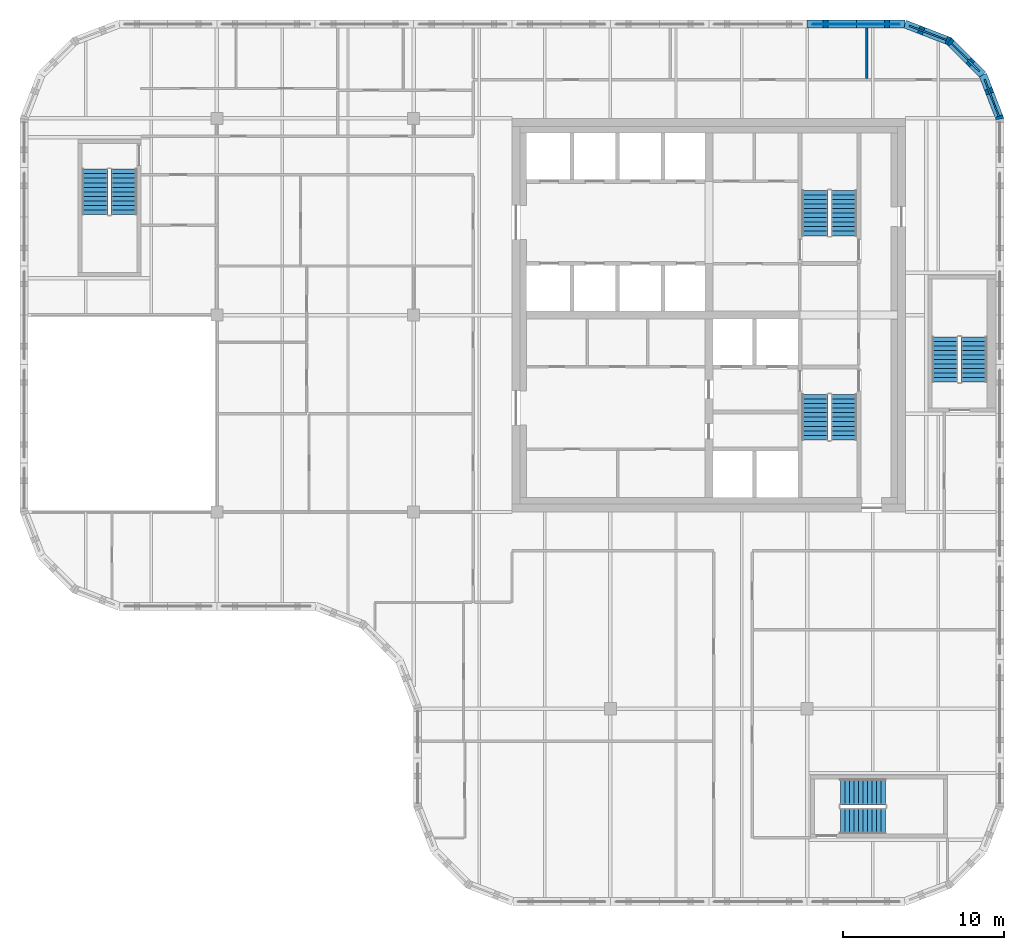
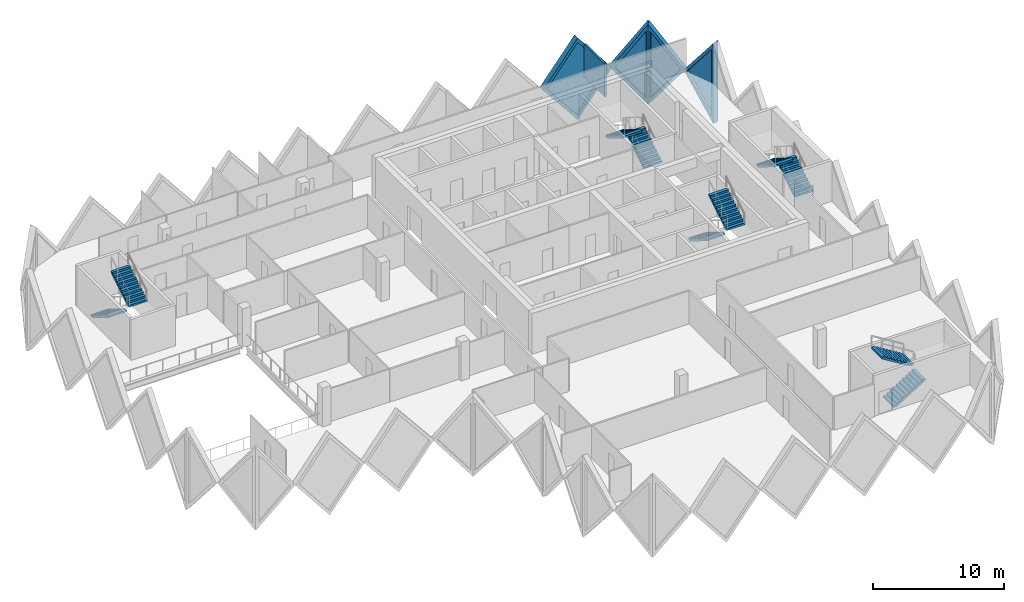
# One storey, part 10 of 11: 10 stair flights, 5 walls, 4 plates, 4 openings, 5 elements without a shape of their own.
"""IFC4 building model written with IfcOpenShell, lengths in metres."""

import ifcopenshell
import ifcopenshell.guid

model = None  # the IFC model being written
_history = None  # IfcOwnerHistory: only IFC2X3 demands one
_inside = {}  # id of a spatial element -> (the spatial element, [elements in it])
_under = {}  # id of a project, library or spatial element -> (it, [spatial elements below it])
_declared = {}  # id of a project -> (the project, [libraries it declares])
_typed = {}  # id of a type object -> (the type object, [elements of that type])
_made_of = {}  # id of a material, layer set ... -> (it, [elements and type objects made of it])


def new_model(schema):
    """Start an empty IFC model of exactly this schema.

    Asked for "IFC4X3", IfcOpenShell would pick the latest addendum, in which some entities
    have other attributes; the version numbers below select the first issue.
    IFC2X3 requires an IfcOwnerHistory on every rooted entity: one is made here for all.
    """
    global model, _history
    if schema == "IFC4X3":
        model = ifcopenshell.file(schema_version=(4, 3, 0, 0))
    else:
        model = ifcopenshell.file(schema=schema)
    _inside.clear()
    _under.clear()
    _declared.clear()
    _typed.clear()
    _made_of.clear()
    _history = None
    if model.schema == "IFC2X3":
        org = make("IfcOrganization", Name="unknown")
        user = make(
            "IfcPersonAndOrganization",
            ThePerson=make("IfcPerson", FamilyName="unknown"),
            TheOrganization=org,
        )
        app = make(
            "IfcApplication",
            ApplicationDeveloper=org,
            Version="unknown",
            ApplicationFullName="unknown",
            ApplicationIdentifier="unknown",
        )
        _history = make(
            "IfcOwnerHistory",
            OwningUser=user,
            OwningApplication=app,
            ChangeAction="ADDED",
            CreationDate=0,
        )
    return model


def make(cls, **values):
    """One entity of the class cls with the attributes given. An attribute that is None is left unset."""
    return model.create_entity(
        cls, **{name: value for name, value in values.items() if value is not None}
    )


def rooted(cls, **values):
    """An entity with a GlobalId (a new one), such as an element, a storey or a relation."""
    return make(cls, GlobalId=ifcopenshell.guid.new(), OwnerHistory=_history, **values)


def si_unit(unit_type, name, prefix=None):
    """IfcSIUnit, for example si_unit("LENGTHUNIT", "METRE", prefix="MILLI")."""
    return make("IfcSIUnit", UnitType=unit_type, Prefix=prefix, Name=name)


def assignment(units):
    """IfcUnitAssignment: the units of a project."""
    return None if units is None else make("IfcUnitAssignment", Units=units)


def point(xyz):
    """IfcCartesianPoint."""
    return None if xyz is None else make("IfcCartesianPoint", Coordinates=xyz)


def direction(xyz):
    """IfcDirection."""
    return None if xyz is None else make("IfcDirection", DirectionRatios=xyz)


def frame(location, z_axis=None, x_axis=None):
    """IfcAxis2Placement3D, a coordinate frame: its origin and axes. An axis left out is left unset."""
    return make(
        "IfcAxis2Placement3D",
        Location=point(location),
        Axis=direction(z_axis),
        RefDirection=direction(x_axis),
    )


def frame_2d(location, x_axis=None):
    """IfcAxis2Placement2D, a coordinate frame in the plane: its origin and x axis."""
    return make(
        "IfcAxis2Placement2D", Location=point(location), RefDirection=direction(x_axis)
    )


def origin():
    """The frame at (0, 0, 0) with its axes left unset."""
    return frame((0.0, 0.0, 0.0))


def place(relative_to, where):
    """IfcLocalPlacement: puts the frame where relative to a parent placement (None: the world)."""
    return make(
        "IfcLocalPlacement", PlacementRelTo=relative_to, RelativePlacement=where
    )


def context(
    kind, dimensions, precision=None, world=None, true_north=None, identifier=None
):
    """IfcGeometricRepresentationContext, for example the 3D "Model" context."""
    return make(
        "IfcGeometricRepresentationContext",
        ContextIdentifier=identifier,
        ContextType=kind,
        CoordinateSpaceDimension=dimensions,
        Precision=precision,
        WorldCoordinateSystem=world,
        TrueNorth=true_north,
    )


def subcontext(parent, identifier, kind, view, scale=None):
    """IfcGeometricRepresentationSubContext, for example "Body" below "Model"."""
    return make(
        "IfcGeometricRepresentationSubContext",
        ContextIdentifier=identifier,
        ContextType=kind,
        ParentContext=parent,
        TargetScale=scale,
        TargetView=view,
    )


def project(units=None, contexts=None):
    """IfcProject with its units and contexts."""
    return rooted(
        "IfcProject",
        Name="project",
        RepresentationContexts=contexts,
        UnitsInContext=assignment(units),
    )


def spatial(cls, under=None, at=None, **own):
    """A site, building, storey or space (cls), placed at a placement, below another one or the project."""
    s = rooted(cls, ObjectPlacement=at, **own)
    if under is not None:
        _under.setdefault(under.id(), (under, []))[1].append(s)
    return s


def polyline(points):
    """IfcPolyline through the points."""
    return make("IfcPolyline", Points=[point(p) for p in points])


def profile(cls, at=None, kind="AREA", **sizes):
    """A parametric profile (cls). Its sizes go by their IFC names, for example OverallWidth=200.0."""
    return make(cls, ProfileType=kind, Position=at, **sizes)


def rectangle(**sizes):
    """IfcRectangleProfileDef."""
    return profile("IfcRectangleProfileDef", **sizes)


def outline(outer, holes=None, kind="AREA"):
    """IfcArbitraryClosedProfileDef: a profile drawn as a closed curve; with holes, ...WithVoids."""
    if holes is None:
        return make("IfcArbitraryClosedProfileDef", ProfileType=kind, OuterCurve=outer)
    return make(
        "IfcArbitraryProfileDefWithVoids",
        ProfileType=kind,
        OuterCurve=outer,
        InnerCurves=holes,
    )


def extrude(swept, where, along, depth):
    """IfcExtrudedAreaSolid: the profile swept, set in the frame where, extruded along a direction by depth."""
    return make(
        "IfcExtrudedAreaSolid",
        SweptArea=swept,
        Position=where,
        ExtrudedDirection=direction(along),
        Depth=depth,
    )


def faces_of(points, faces, orient=None, outer=None):
    """IfcFace entities. A face is a list of loops; a loop is a list of indices into points, from 0.

    orient and outer hold one flag for each loop. By default every Orientation is true, the
    first loop of a face is its IfcFaceOuterBound and the others are IfcFaceBound.
    """
    made = []
    for i, loops in enumerate(faces):
        bounds = []
        for j, loop in enumerate(loops):
            is_outer = j == 0 if outer is None else outer[i][j]
            bounds.append(
                make(
                    "IfcFaceOuterBound" if is_outer else "IfcFaceBound",
                    Bound=make("IfcPolyLoop", Polygon=[points[k] for k in loop]),
                    Orientation=True if orient is None else orient[i][j],
                )
            )
        made.append(make("IfcFace", Bounds=bounds))
    return made


def faceted_brep(points, faces, orient=None, outer=None, voids=None):
    """IfcFacetedBrep: a solid bounded by flat faces; with voids (closed shells), ...WithVoids."""
    shared = [point(p) for p in points]
    hull = make("IfcClosedShell", CfsFaces=faces_of(shared, faces, orient, outer))
    if voids is None:
        return make("IfcFacetedBrep", Outer=hull)
    return make(
        "IfcFacetedBrepWithVoids",
        Outer=hull,
        Voids=[
            make(cls, CfsFaces=faces_of(shared, fs, o, b)) for cls, fs, o, b in voids
        ],
    )


def shape(context_of_items, identifier, shape_type, items):
    """IfcShapeRepresentation: the items that make up one representation, for example the "Body"."""
    return make(
        "IfcShapeRepresentation",
        ContextOfItems=context_of_items,
        RepresentationIdentifier=identifier,
        RepresentationType=shape_type,
        Items=items,
    )


def source(mapping_origin, context_of_items, identifier, shape_type, items):
    """IfcRepresentationMap: a shape defined once, which mapped items show again and again."""
    return make(
        "IfcRepresentationMap",
        MappingOrigin=mapping_origin,
        MappedRepresentation=shape(context_of_items, identifier, shape_type, items),
    )


def transform(
    local_origin,
    x_axis=None,
    y_axis=None,
    z_axis=None,
    scale=None,
    scale2=None,
    scale3=None,
    uniform=True,
):
    """IfcCartesianTransformationOperator3D, or its non-uniform kind. x_axis, y_axis, z_axis: its Axis1, 2, 3."""
    if uniform:
        return make(
            "IfcCartesianTransformationOperator3D",
            Axis1=direction(x_axis),
            Axis2=direction(y_axis),
            LocalOrigin=point(local_origin),
            Scale=scale,
            Axis3=direction(z_axis),
        )
    return make(
        "IfcCartesianTransformationOperator3DnonUniform",
        Axis1=direction(x_axis),
        Axis2=direction(y_axis),
        LocalOrigin=point(local_origin),
        Scale=scale,
        Axis3=direction(z_axis),
        Scale2=scale2,
        Scale3=scale3,
    )


def mapped(mapping_source, mapping_target):
    """IfcMappedItem: shows the shape of a source again, moved by a transform."""
    return make(
        "IfcMappedItem", MappingSource=mapping_source, MappingTarget=mapping_target
    )


def material(Name=None, Category=None):
    """IfcMaterial."""
    return make("IfcMaterial", Name=Name, Category=Category)


def layer(
    of_material, thickness, ventilated=None, Name=None, Category=None, Priority=None
):
    """IfcMaterialLayer: one layer of a wall or slab, of a material (None: an air gap)."""
    return make(
        "IfcMaterialLayer",
        Material=of_material,
        LayerThickness=thickness,
        IsVentilated=ventilated,
        Name=Name,
        Category=Category,
        Priority=Priority,
    )


def layer_set(layers, Name=None):
    """IfcMaterialLayerSet."""
    return make("IfcMaterialLayerSet", MaterialLayers=layers, LayerSetName=Name)


def made_of(thing, what):
    """Note that an element or type object is made of a material, layer set ...; save() writes the relation."""
    if what is not None:
        _made_of.setdefault(what.id(), (what, []))[1].append(thing)
    return thing


def type_object(cls, material=None, **own):
    """A type object (cls), such as IfcWallType, which elements share."""
    return made_of(rooted(cls, **own), material)


def element(
    cls,
    number,
    at=None,
    inside=None,
    cuts=None,
    type_object=None,
    material=None,
    context=None,
    identifier="Body",
    shape_type=None,
    held_by="IfcProductDefinitionShape",
    body=None,
    shapes=None,
    **own,
):
    """One element of the class cls, such as IfcWall. Its Tag is "e" and its number.

    at: its placement. inside: the storey or other place that contains it. cuts: it is an
    opening in that element (IfcRelVoidsElement). A single representation is given by context,
    identifier, shape_type and body (its items); several are given by shapes. held_by: the class
    of the entity that holds the representations. save() writes the other relations.
    """
    e = rooted(cls, Tag="e%d" % number, ObjectPlacement=at, **own)
    if body is not None:
        shapes = [shape(context, identifier, shape_type, body)]
    if shapes is not None:
        e.Representation = make(held_by, Representations=shapes)
    if inside is not None:
        _inside.setdefault(inside.id(), (inside, []))[1].append(e)
    if cuts is not None:
        rooted(
            "IfcRelVoidsElement", RelatingBuildingElement=cuts, RelatedOpeningElement=e
        )
    if type_object is not None:
        _typed.setdefault(type_object.id(), (type_object, []))[1].append(e)
    return made_of(e, material)


def fill(opening, filler):
    """IfcRelFillsElement: the door or window that sits in an opening."""
    return rooted(
        "IfcRelFillsElement",
        RelatingOpeningElement=opening,
        RelatedBuildingElement=filler,
    )


def aggregate(whole, parts):
    """IfcRelAggregates: a whole, such as a stair, and the parts it consists of."""
    return rooted("IfcRelAggregates", RelatingObject=whole, RelatedObjects=parts)


def save(model, path):
    """Write the relations noted so far, then the file.

    IfcRelAggregates (storeys below a building ...), IfcRelContainedInSpatialStructure (elements
    in a storey), IfcRelDefinesByType, IfcRelAssociatesMaterial and IfcRelDeclares: one each for
    every whole, place, type object, material and project.
    """
    for whole, parts in _under.values():
        aggregate(whole, parts)
    for where, things in _inside.values():
        rooted(
            "IfcRelContainedInSpatialStructure",
            RelatedElements=things,
            RelatingStructure=where,
        )
    for kind, things in _typed.values():
        rooted("IfcRelDefinesByType", RelatedObjects=things, RelatingType=kind)
    for what, things in _made_of.values():
        rooted("IfcRelAssociatesMaterial", RelatedObjects=things, RelatingMaterial=what)
    for by, libraries in _declared.values():
        rooted("IfcRelDeclares", RelatingContext=by, RelatedDefinitions=libraries)
    model.write(path)


model = new_model("IFC4")

# Units and contexts
model_context = context("Model", 3, precision=1e-05, world=origin(), true_north=direction((0.0, 1.0)))
body_context = subcontext(model_context, "Body", "Model", "MODEL_VIEW")
ifc_project = project(units=[si_unit("LENGTHUNIT", "METRE"), si_unit("AREAUNIT", "SQUARE_METRE"), si_unit("VOLUMEUNIT", "CUBIC_METRE"), si_unit("PLANEANGLEUNIT", "RADIAN"), si_unit("MASSUNIT", "GRAM", prefix="KILO")], contexts=[model_context])

# Site, building, storey
site_placement = place(None, origin())
site = spatial("IfcSite", under=ifc_project, at=site_placement, CompositionType="ELEMENT")
building_placement = place(site_placement, origin())
building = spatial("IfcBuilding", under=site, at=building_placement, Name="Tessera Gate Towers", CompositionType="ELEMENT")
storey_placement = place(building_placement, frame((0.0, 0.0, 224.5)))
storey = spatial("IfcBuildingStorey", under=building, at=storey_placement, Name="L56", CompositionType="ELEMENT", Elevation=224.5)

# Wall
ifc_material_1 = material(Name="Gypsum board on steel studs, mineral wool", Category="steel")
ifc_layer_1 = layer(ifc_material_1, 0.14990234375)
ifc_layer_set_1 = layer_set([ifc_layer_1], Name="TENANCY WALL 150")
wall_type_1 = type_object("IfcWallType", Name="TENANCY WALL 150", PredefinedType="PARTITIONING", material=ifc_layer_set_1)
wall_1_placement = place(storey_placement, frame((52.5, 51.27587890625, 0.0), z_axis=(0.0, 0.0, 1.0), x_axis=(0.0, 1.0, 0.0)))
element("IfcWall", 1, at=wall_1_placement, inside=storey, type_object=wall_type_1, Name="T1-L56-PW-055", PredefinedType="PARTITIONING", context=body_context, shape_type="SweptSolid", body=[
    extrude(rectangle(XDim=3.1240234375, YDim=0.14990234375, at=frame_2d((1.56201171875, 0.0))), origin(), (0.0, 0.0, 1.0), 3.06689453125),
])

# Wall, opening, plate
ifc_material_2 = material(Name="Precast concrete C60/75 white", Category="concrete")
ifc_layer_2 = layer(ifc_material_2, 0.5)
ifc_layer_set_2 = layer_set([ifc_layer_2], Name="TS1 tessera")
wall_type_2 = type_object("IfcWallType", Name="TS1 tessera", PredefinedType="SOLIDWALL", material=ifc_layer_set_2)
shared_shape_1 = source(origin(), body_context, "Body", "Brep", [
    faceted_brep([(3.00341796875, -0.25, 0.0), (6.053466796875, -0.25, 3.800048828125), (3.00341796875, -0.25, 7.60009765625), (0.0, -0.25, 3.800048828125), (0.046630859375, 0.25, 3.85888671875), (3.00341796875, 0.25, 7.60009765625), (6.053466796875, 0.25, 3.800048828125), (3.00341796875, 0.25, 0.0), (0.046630859375, 0.25, 3.7412109375), (0.0, 0.0, 3.800048828125)], [[[0, 1, 2, 3]], [[4, 5, 6, 7, 8]], [[7, 6, 1, 0]], [[6, 5, 2, 1]], [[5, 4, 9, 3, 2]], [[8, 7, 0, 3, 9]], [[8, 9, 4]]]),
])
wall_2_placement = place(storey_placement, frame((54.853515625, 54.64990234375, -3.800048828125), z_axis=(0.0, 0.0, 1.0), x_axis=(-1.0, 0.0, 0.0)))
wall_2 = element("IfcWall", 2, at=wall_2_placement, inside=storey, type_object=wall_type_2, Name="Precast tessera T1 TS1-0999", PredefinedType="SOLIDWALL", context=body_context, shape_type="MappedRepresentation", body=[
    mapped(shared_shape_1, transform((0.0, 0.0, 0.0), scale=1.0)),
])
shared_shape_2 = source(origin(), body_context, "Body", "SweptSolid", [
    extrude(outline(polyline([(3.0048828125, 0.4013671875), (5.73291015625, 3.800048828125), (3.0048828125, 7.19873046875), (0.318603515625, 3.800048828125), (3.0048828125, 0.4013671875)])), frame((0.0, 0.260009765625, 0.0), z_axis=(0.0, -1.0, 0.0), x_axis=(1.0, 0.0, 0.0)), (0.0, 0.0, 1.0), 0.52001953125),
])
opening_1_placement = place(wall_2_placement, origin())
opening_1 = element("IfcOpeningElement", 3, at=opening_1_placement, cuts=wall_2, Name="Opening T1-PL2-2039", PredefinedType="OPENING", context=body_context, shape_type="MappedRepresentation", body=[
    mapped(shared_shape_2, transform((0.0, 0.0, 0.0), scale=1.0)),
])
ifc_material_3 = material(Name="Low-e laminated glass", Category="glass")
ifc_layer_3 = layer(ifc_material_3, 0.06005859375)
ifc_layer_set_3 = layer_set([ifc_layer_3], Name="PL2 rhombic pane")
plate_type = type_object("IfcPlateType", Name="PL2 rhombic pane", PredefinedType="SHEET", material=ifc_layer_set_3)
shared_shape_3 = source(origin(), body_context, "Body", "SweptSolid", [
    extrude(outline(polyline([(3.0048828125, 0.4013671875), (5.73291015625, 3.800048828125), (3.0048828125, 7.19873046875), (0.318603515625, 3.800048828125), (3.0048828125, 0.4013671875)])), frame((0.0, 0.030029296875, 0.0), z_axis=(0.0, -1.0, 0.0), x_axis=(1.0, 0.0, 0.0)), (0.0, 0.0, 1.0), 0.06005859375),
])
plate_1_placement = place(opening_1_placement, origin())
plate_1 = element("IfcPlate", 4, at=plate_1_placement, inside=storey, type_object=plate_type, Name="Glass pane T1 PL2-2039", PredefinedType="SHEET", context=body_context, shape_type="MappedRepresentation", body=[
    mapped(shared_shape_3, transform((0.0, 0.0, 0.0), scale=1.0)),
])
fill(opening_1, plate_1)

ifc_material_4 = material(Name="Precast concrete C60/75 white", Category="concrete")
ifc_layer_4 = layer(ifc_material_4, 0.5)
ifc_layer_set_4 = layer_set([ifc_layer_4], Name="TS3 corner tessera")
wall_type_3 = type_object("IfcWallType", Name="TS3 corner tessera", PredefinedType="SOLIDWALL", material=ifc_layer_set_4)
shared_shape_4 = source(origin(), body_context, "Body", "Brep", [
    faceted_brep([(0.046630859375, -0.25, 0.0), (2.9970703125, -0.25, 3.800048828125), (0.046630859375, -0.25, 7.60009765625), (0.0, -0.25, 7.541259765625), (0.0, -0.25, 0.058837890625), (0.09326171875, 0.25, 7.5400390625), (2.9443359375, 0.25, 3.8681640625), (2.9443359375, 0.25, 3.73193359375), (0.09326171875, 0.25, 0.06005859375), (2.9970703125, 0.00048828125, 3.800048828125), (0.046630859375, 0.0, 0.0), (0.046630859375, 0.0, 7.60009765625)], [[[0, 1, 2, 3, 4]], [[5, 6, 7, 8]], [[8, 7, 9, 1, 0, 10]], [[6, 5, 11, 2, 1, 9]], [[3, 2, 11]], [[10, 0, 4]], [[8, 10, 4, 3, 11, 5]], [[9, 7, 6]]]),
])
wall_3_placement = place(storey_placement, frame((60.766845703125, 48.7099609375, -3.800048828125), z_axis=(0.0, 0.0, 1.0), x_axis=(-0.359901446078, 0.932990326376, 0.0)))
wall_3 = element("IfcWall", 5, at=wall_3_placement, inside=storey, type_object=wall_type_3, Name="Precast corner tessera T1 TS3-1302", PredefinedType="SOLIDWALL", context=body_context, shape_type="MappedRepresentation", body=[
    mapped(shared_shape_4, transform((0.0, 0.0, 0.0), scale=1.0)),
])
shared_shape_5 = source(origin(), body_context, "Body", "SweptSolid", [
    extrude(outline(polyline([(0.24658203125, 0.665283203125), (2.6806640625, 3.800048828125), (0.24658203125, 6.934814453125), (0.24658203125, 0.665283203125)])), frame((0.0, 0.260009765625, 0.0), z_axis=(0.0, -1.0, 0.0), x_axis=(1.0, 0.0, 0.0)), (0.0, 0.0, 1.0), 0.52001953125),
])
opening_2_placement = place(wall_3_placement, origin())
opening_2 = element("IfcOpeningElement", 6, at=opening_2_placement, cuts=wall_3, Name="Opening T1-PL2-2036", PredefinedType="OPENING", context=body_context, shape_type="MappedRepresentation", body=[
    mapped(shared_shape_5, transform((0.0, 0.0, 0.0), scale=1.0)),
])
shared_shape_6 = source(origin(), body_context, "Body", "SweptSolid", [
    extrude(outline(polyline([(0.24658203125, 0.665283203125), (2.6806640625, 3.800048828125), (0.24658203125, 6.934814453125), (0.24658203125, 0.665283203125)])), frame((0.0, 0.030029296875, 0.0), z_axis=(0.0, -1.0, 0.0), x_axis=(1.0, 0.0, 0.0)), (0.0, 0.0, 1.0), 0.06005859375),
])
plate_2_placement = place(opening_2_placement, origin())
plate_2 = element("IfcPlate", 7, at=plate_2_placement, inside=storey, type_object=plate_type, Name="Glass pane T1 PL2-2036", PredefinedType="SHEET", context=body_context, shape_type="MappedRepresentation", body=[
    mapped(shared_shape_6, transform((0.0, 0.0, 0.0), scale=1.0)),
])
fill(opening_2, plate_2)

shared_shape_7 = source(origin(), body_context, "Body", "Brep", [
    faceted_brep([(2.944091796875, -0.25, 0.0), (2.9970703125, -0.25, 0.068115234375), (2.9970703125, -0.25, 7.531982421875), (2.944091796875, -0.25, 7.60009765625), (0.0, -0.25, 3.800048828125), (0.052978515625, 0.25, 3.868408203125), (2.89111328125, 0.25, 7.531982421875), (2.89111328125, 0.25, 0.068115234375), (0.052978515625, 0.25, 3.731689453125), (2.944091796875, 0.000244140625, 0.0), (2.944091796875, 0.000244140625, 7.60009765625), (0.0, 0.0, 3.800048828125)], [[[0, 1, 2, 3, 4]], [[5, 6, 7, 8]], [[1, 0, 9]], [[10, 3, 2]], [[6, 5, 11, 4, 3, 10]], [[8, 7, 9, 0, 4, 11]], [[8, 11, 5]], [[1, 9, 7, 6, 10, 2]]]),
])
wall_4_placement = place(storey_placement, frame((59.68798828125, 51.50634765625, -3.800048828125), z_axis=(0.0, 0.0, 1.0), x_axis=(-0.707106781187, 0.707106781187, 0.0)))
wall_4 = element("IfcWall", 8, at=wall_4_placement, inside=storey, type_object=wall_type_3, Name="Precast corner tessera T1 TS3-1303", PredefinedType="SOLIDWALL", context=body_context, shape_type="MappedRepresentation", body=[
    mapped(shared_shape_7, transform((0.0, 0.0, 0.0), scale=1.0)),
])
shared_shape_8 = source(origin(), body_context, "Body", "SweptSolid", [
    extrude(outline(polyline([(2.744140625, 6.933837890625), (0.316162109375, 3.800048828125), (2.744140625, 0.666259765625), (2.744140625, 6.933837890625)])), frame((0.0, 0.260009765625, 0.0), z_axis=(0.0, -1.0, 0.0), x_axis=(1.0, 0.0, 0.0)), (0.0, 0.0, 1.0), 0.52001953125),
])
opening_3_placement = place(wall_4_placement, origin())
opening_3 = element("IfcOpeningElement", 9, at=opening_3_placement, cuts=wall_4, Name="Opening T1-PL2-2037", PredefinedType="OPENING", context=body_context, shape_type="MappedRepresentation", body=[
    mapped(shared_shape_8, transform((0.0, 0.0, 0.0), scale=1.0)),
])
shared_shape_9 = source(origin(), body_context, "Body", "SweptSolid", [
    extrude(outline(polyline([(2.744140625, 6.933837890625), (0.316162109375, 3.800048828125), (2.744140625, 0.666259765625), (2.744140625, 6.933837890625)])), frame((0.0, 0.030029296875, 0.0), z_axis=(0.0, -1.0, 0.0), x_axis=(1.0, 0.0, 0.0)), (0.0, 0.0, 1.0), 0.06005859375),
])
plate_3_placement = place(opening_3_placement, origin())
plate_3 = element("IfcPlate", 10, at=plate_3_placement, inside=storey, type_object=plate_type, Name="Glass pane T1 PL2-2037", PredefinedType="SHEET", context=body_context, shape_type="MappedRepresentation", body=[
    mapped(shared_shape_9, transform((0.0, 0.0, 0.0), scale=1.0)),
])
fill(opening_3, plate_3)

shared_shape_10 = source(origin(), body_context, "Body", "Brep", [
    faceted_brep([(0.052978515625, -0.25, 0.0), (3.00341796875, -0.25, 3.800048828125), (0.052978515625, -0.25, 7.60009765625), (0.0, -0.25, 7.53173828125), (0.0, -0.25, 0.068359375), (0.10595703125, 0.25, 7.531982421875), (2.95703125, 0.25, 3.85986328125), (2.95703125, 0.25, 3.740234375), (0.10595703125, 0.25, 0.068115234375), (3.00341796875, 0.00048828125, 3.800048828125), (0.052978515625, 0.0, 0.0), (0.052978515625, 0.0, 7.60009765625)], [[[0, 1, 2, 3, 4]], [[5, 6, 7, 8]], [[8, 7, 9, 1, 0, 10]], [[6, 5, 11, 2, 1, 9]], [[3, 2, 11]], [[10, 0, 4]], [[8, 10, 4, 3, 11, 5]], [[9, 7, 6]]]),
])
wall_5_placement = place(storey_placement, frame((57.65576171875, 53.569091796875, -3.800048828125), z_axis=(0.0, 0.0, 1.0), x_axis=(-0.933007896601, 0.359855894603, 0.0)))
wall_5 = element("IfcWall", 11, at=wall_5_placement, inside=storey, type_object=wall_type_3, Name="Precast corner tessera T1 TS3-1304", PredefinedType="SOLIDWALL", context=body_context, shape_type="MappedRepresentation", body=[
    mapped(shared_shape_10, transform((0.0, 0.0, 0.0), scale=1.0)),
])
shared_shape_11 = source(origin(), body_context, "Body", "SweptSolid", [
    extrude(outline(polyline([(0.2529296875, 0.665283203125), (2.68701171875, 3.800048828125), (0.2529296875, 6.934814453125), (0.2529296875, 0.665283203125)])), frame((0.0, 0.260009765625, 0.0), z_axis=(0.0, -1.0, 0.0), x_axis=(1.0, 0.0, 0.0)), (0.0, 0.0, 1.0), 0.52001953125),
])
opening_4_placement = place(wall_5_placement, origin())
opening_4 = element("IfcOpeningElement", 12, at=opening_4_placement, cuts=wall_5, Name="Opening T1-PL2-2038", PredefinedType="OPENING", context=body_context, shape_type="MappedRepresentation", body=[
    mapped(shared_shape_11, transform((0.0, 0.0, 0.0), scale=1.0)),
])
shared_shape_12 = source(origin(), body_context, "Body", "SweptSolid", [
    extrude(outline(polyline([(0.2529296875, 0.665283203125), (2.68701171875, 3.800048828125), (0.2529296875, 6.934814453125), (0.2529296875, 0.665283203125)])), frame((0.0, 0.030029296875, 0.0), z_axis=(0.0, -1.0, 0.0), x_axis=(1.0, 0.0, 0.0)), (0.0, 0.0, 1.0), 0.06005859375),
])
plate_4_placement = place(opening_4_placement, origin())
plate_4 = element("IfcPlate", 13, at=plate_4_placement, inside=storey, type_object=plate_type, Name="Glass pane T1 PL2-2038", PredefinedType="SHEET", context=body_context, shape_type="MappedRepresentation", body=[
    mapped(shared_shape_12, transform((0.0, 0.0, 0.0), scale=1.0)),
])
fill(opening_4, plate_4)

# Stair, stair flights
ifc_material_5 = material(Name="Concrete C40/50", Category="concrete")
stair_type_1 = type_object("IfcStairType", Name="EXIT STAIR ST1 1600", PredefinedType="HALF_TURN_STAIR", material=ifc_material_5)
stair_1_placement = place(storey_placement, origin())
stair_1 = element("IfcStair", 14, at=stair_1_placement, inside=storey, type_object=stair_type_1, Name="L56 Protected Exit Stair ST1", PredefinedType="HALF_TURN_STAIR")
ifc_material_6 = material(Name="Concrete C40/50", Category="concrete")
stair_flight_type_1 = type_object("IfcStairFlightType", Name="EXIT STAIR FLIGHT ST1 1600", PredefinedType="STRAIGHT", material=ifc_material_6)
stair_flight_1_placement = place(storey_placement, frame((49.27490234375, 31.675048828125, 0.0), z_axis=(0.0, 0.0, 1.0), x_axis=(0.0, -1.0, 0.0)))
stair_flight_1 = element("IfcStairFlight", 15, at=stair_flight_1_placement, type_object=stair_flight_type_1, Name="ST1 flight 1", NumberOfRisers=11, NumberOfTreads=10, PredefinedType="STRAIGHT", RiserHeight=0.172727273, TreadLength=0.28, context=body_context, shape_type="SweptSolid", body=[
    extrude(outline(polyline([(0.0, 0.0), (0.0, 0.172607421875), (0.280029296875, 0.172607421875), (0.280029296875, 0.345458984375), (0.56005859375, 0.345458984375), (0.56005859375, 0.51806640625), (0.840087890625, 0.51806640625), (0.840087890625, 0.69091796875), (1.1201171875, 0.69091796875), (1.1201171875, 0.863525390625), (1.39990234375, 0.863525390625), (1.39990234375, 1.036376953125), (1.679931640625, 1.036376953125), (1.679931640625, 1.208984375), (1.9599609375, 1.208984375), (1.9599609375, 1.3818359375), (2.239990234375, 1.3818359375), (2.239990234375, 1.554443359375), (2.52001953125, 1.554443359375), (2.52001953125, 1.727294921875), (2.800048828125, 1.727294921875), (2.800048828125, 1.89990234375), (2.800048828125, 1.551025390625), (0.285400390625, 0.0), (0.0, 0.0)])), frame((0.0, 0.800048828125, 0.0), z_axis=(0.0, -1.0, 0.0), x_axis=(1.0, 0.0, 0.0)), (0.0, 0.0, 1.0), 1.60009765625),
])
stair_flight_2_placement = place(storey_placement, frame((51.074951171875, 28.875, 1.89990234375), z_axis=(0.0, 0.0, 1.0), x_axis=(0.0, 1.0, 0.0)))
stair_flight_2 = element("IfcStairFlight", 16, at=stair_flight_2_placement, type_object=stair_flight_type_1, Name="ST1 flight 2", NumberOfRisers=11, NumberOfTreads=10, PredefinedType="STRAIGHT", RiserHeight=0.172727273, TreadLength=0.28, context=body_context, shape_type="SweptSolid", body=[
    extrude(outline(polyline([(0.0, 0.0), (0.0, 0.172607421875), (0.280029296875, 0.172607421875), (0.280029296875, 0.345458984375), (0.56005859375, 0.345458984375), (0.56005859375, 0.51806640625), (0.840087890625, 0.51806640625), (0.840087890625, 0.69091796875), (1.1201171875, 0.69091796875), (1.1201171875, 0.863525390625), (1.39990234375, 0.863525390625), (1.39990234375, 1.036376953125), (1.679931640625, 1.036376953125), (1.679931640625, 1.208984375), (1.9599609375, 1.208984375), (1.9599609375, 1.3818359375), (2.239990234375, 1.3818359375), (2.239990234375, 1.554443359375), (2.52001953125, 1.554443359375), (2.52001953125, 1.727294921875), (2.800048828125, 1.727294921875), (2.800048828125, 1.89990234375), (2.800048828125, 1.551025390625), (0.285400390625, 0.0), (0.0, 0.0)])), frame((0.0, 0.800048828125, 0.0), z_axis=(0.0, -1.0, 0.0), x_axis=(1.0, 0.0, 0.0)), (0.0, 0.0, 1.0), 1.60009765625),
])
aggregate(stair_1, [stair_flight_1, stair_flight_2])

ifc_material_7 = material(Name="Concrete C40/50", Category="concrete")
stair_type_2 = type_object("IfcStairType", Name="EXIT STAIR ST2 1600", PredefinedType="HALF_TURN_STAIR", material=ifc_material_7)
stair_2_placement = place(storey_placement, origin())
stair_2 = element("IfcStair", 17, at=stair_2_placement, inside=storey, type_object=stair_type_2, Name="L56 Protected Exit Stair ST2", PredefinedType="HALF_TURN_STAIR")
ifc_material_8 = material(Name="Concrete C40/50", Category="concrete")
stair_flight_type_2 = type_object("IfcStairFlightType", Name="EXIT STAIR FLIGHT ST2 1600", PredefinedType="STRAIGHT", material=ifc_material_8)
stair_flight_3_placement = place(storey_placement, frame((51.074951171875, 41.52490234375, 0.0), z_axis=(0.0, 0.0, 1.0), x_axis=(0.0, 1.0, 0.0)))
stair_flight_3 = element("IfcStairFlight", 18, at=stair_flight_3_placement, type_object=stair_flight_type_2, Name="ST2 flight 1", NumberOfRisers=11, NumberOfTreads=10, PredefinedType="STRAIGHT", RiserHeight=0.172727273, TreadLength=0.28, context=body_context, shape_type="SweptSolid", body=[
    extrude(outline(polyline([(0.0, 0.0), (0.0, 0.172607421875), (0.280029296875, 0.172607421875), (0.280029296875, 0.345458984375), (0.56005859375, 0.345458984375), (0.56005859375, 0.51806640625), (0.840087890625, 0.51806640625), (0.840087890625, 0.69091796875), (1.1201171875, 0.69091796875), (1.1201171875, 0.863525390625), (1.39990234375, 0.863525390625), (1.39990234375, 1.036376953125), (1.679931640625, 1.036376953125), (1.679931640625, 1.208984375), (1.9599609375, 1.208984375), (1.9599609375, 1.3818359375), (2.239990234375, 1.3818359375), (2.239990234375, 1.554443359375), (2.52001953125, 1.554443359375), (2.52001953125, 1.727294921875), (2.800048828125, 1.727294921875), (2.800048828125, 1.89990234375), (2.800048828125, 1.551025390625), (0.285400390625, 0.0), (0.0, 0.0)])), frame((0.0, 0.800048828125, 0.0), z_axis=(0.0, -1.0, 0.0), x_axis=(1.0, 0.0, 0.0)), (0.0, 0.0, 1.0), 1.60009765625),
])
stair_flight_4_placement = place(storey_placement, frame((49.27490234375, 44.324951171875, 1.89990234375), z_axis=(0.0, 0.0, 1.0), x_axis=(0.0, -1.0, 0.0)))
stair_flight_4 = element("IfcStairFlight", 19, at=stair_flight_4_placement, type_object=stair_flight_type_2, Name="ST2 flight 2", NumberOfRisers=11, NumberOfTreads=10, PredefinedType="STRAIGHT", RiserHeight=0.172727273, TreadLength=0.28, context=body_context, shape_type="SweptSolid", body=[
    extrude(outline(polyline([(0.0, 0.0), (0.0, 0.172607421875), (0.280029296875, 0.172607421875), (0.280029296875, 0.345458984375), (0.56005859375, 0.345458984375), (0.56005859375, 0.51806640625), (0.840087890625, 0.51806640625), (0.840087890625, 0.69091796875), (1.1201171875, 0.69091796875), (1.1201171875, 0.863525390625), (1.39990234375, 0.863525390625), (1.39990234375, 1.036376953125), (1.679931640625, 1.036376953125), (1.679931640625, 1.208984375), (1.9599609375, 1.208984375), (1.9599609375, 1.3818359375), (2.239990234375, 1.3818359375), (2.239990234375, 1.554443359375), (2.52001953125, 1.554443359375), (2.52001953125, 1.727294921875), (2.800048828125, 1.727294921875), (2.800048828125, 1.89990234375), (2.800048828125, 1.551025390625), (0.285400390625, 0.0), (0.0, 0.0)])), frame((0.0, 0.800048828125, 0.0), z_axis=(0.0, -1.0, 0.0), x_axis=(1.0, 0.0, 0.0)), (0.0, 0.0, 1.0), 1.60009765625),
])
aggregate(stair_2, [stair_flight_3, stair_flight_4])

ifc_material_9 = material(Name="Concrete C40/50", Category="concrete")
stair_type_3 = type_object("IfcStairType", Name="EXIT STAIR ST3 1600", PredefinedType="HALF_TURN_STAIR", material=ifc_material_9)
stair_3_placement = place(storey_placement, origin())
stair_3 = element("IfcStair", 20, at=stair_3_placement, inside=storey, type_object=stair_type_3, Name="L56 West Exit Stair ST3", PredefinedType="HALF_TURN_STAIR")
ifc_material_10 = material(Name="Concrete C40/50", Category="concrete")
stair_flight_type_3 = type_object("IfcStairFlightType", Name="EXIT STAIR FLIGHT ST3 1600", PredefinedType="STRAIGHT", material=ifc_material_10)
stair_flight_5_placement = place(storey_placement, frame((4.64990234375, 45.64990234375, 0.0), z_axis=(0.0, 0.0, 1.0), x_axis=(0.0, -1.0, 0.0)))
stair_flight_5 = element("IfcStairFlight", 21, at=stair_flight_5_placement, type_object=stair_flight_type_3, Name="ST3 flight 1", NumberOfRisers=11, NumberOfTreads=10, PredefinedType="STRAIGHT", RiserHeight=0.172727273, TreadLength=0.28, context=body_context, shape_type="SweptSolid", body=[
    extrude(outline(polyline([(0.0, 0.0), (0.0, 0.172607421875), (0.280029296875, 0.172607421875), (0.280029296875, 0.345458984375), (0.56005859375, 0.345458984375), (0.56005859375, 0.51806640625), (0.840087890625, 0.51806640625), (0.840087890625, 0.69091796875), (1.1201171875, 0.69091796875), (1.1201171875, 0.863525390625), (1.39990234375, 0.863525390625), (1.39990234375, 1.036376953125), (1.679931640625, 1.036376953125), (1.679931640625, 1.208984375), (1.9599609375, 1.208984375), (1.9599609375, 1.3818359375), (2.239990234375, 1.3818359375), (2.239990234375, 1.554443359375), (2.52001953125, 1.554443359375), (2.52001953125, 1.727294921875), (2.800048828125, 1.727294921875), (2.800048828125, 1.89990234375), (2.800048828125, 1.551025390625), (0.285400390625, 0.0), (0.0, 0.0)])), frame((0.0, 0.800048828125, 0.0), z_axis=(0.0, -1.0, 0.0), x_axis=(1.0, 0.0, 0.0)), (0.0, 0.0, 1.0), 1.60009765625),
])
stair_flight_6_placement = place(storey_placement, frame((6.449951171875, 42.85009765625, 1.89990234375), z_axis=(0.0, 0.0, 1.0), x_axis=(0.0, 1.0, 0.0)))
stair_flight_6 = element("IfcStairFlight", 22, at=stair_flight_6_placement, type_object=stair_flight_type_3, Name="ST3 flight 2", NumberOfRisers=11, NumberOfTreads=10, PredefinedType="STRAIGHT", RiserHeight=0.172727273, TreadLength=0.28, context=body_context, shape_type="SweptSolid", body=[
    extrude(outline(polyline([(0.0, 0.0), (0.0, 0.172607421875), (0.280029296875, 0.172607421875), (0.280029296875, 0.345458984375), (0.56005859375, 0.345458984375), (0.56005859375, 0.51806640625), (0.840087890625, 0.51806640625), (0.840087890625, 0.69091796875), (1.1201171875, 0.69091796875), (1.1201171875, 0.863525390625), (1.39990234375, 0.863525390625), (1.39990234375, 1.036376953125), (1.679931640625, 1.036376953125), (1.679931640625, 1.208984375), (1.9599609375, 1.208984375), (1.9599609375, 1.3818359375), (2.239990234375, 1.3818359375), (2.239990234375, 1.554443359375), (2.52001953125, 1.554443359375), (2.52001953125, 1.727294921875), (2.800048828125, 1.727294921875), (2.800048828125, 1.89990234375), (2.800048828125, 1.551025390625), (0.285400390625, 0.0), (0.0, 0.0)])), frame((0.0, 0.800048828125, 0.0), z_axis=(0.0, -1.0, 0.0), x_axis=(1.0, 0.0, 0.0)), (0.0, 0.0, 1.0), 1.60009765625),
])
aggregate(stair_3, [stair_flight_5, stair_flight_6])

ifc_material_11 = material(Name="Concrete C40/50", Category="concrete")
stair_type_4 = type_object("IfcStairType", Name="EXIT STAIR ST4 1600", PredefinedType="HALF_TURN_STAIR", material=ifc_material_11)
stair_4_placement = place(storey_placement, origin())
stair_4 = element("IfcStair", 23, at=stair_4_placement, inside=storey, type_object=stair_type_4, Name="L56 South Exit Stair ST4", PredefinedType="HALF_TURN_STAIR")
ifc_material_12 = material(Name="Concrete C40/50", Category="concrete")
stair_flight_type_4 = type_object("IfcStairFlightType", Name="EXIT STAIR FLIGHT ST4 1600", PredefinedType="STRAIGHT", material=ifc_material_12)
stair_flight_7_placement = place(storey_placement, frame((50.85009765625, 5.25, 0.0), z_axis=(0.0, 0.0, 1.0), x_axis=(1.0, 0.0, 0.0)))
stair_flight_7 = element("IfcStairFlight", 24, at=stair_flight_7_placement, type_object=stair_flight_type_4, Name="ST4 flight 1", NumberOfRisers=11, NumberOfTreads=10, PredefinedType="STRAIGHT", RiserHeight=0.172727273, TreadLength=0.28, context=body_context, shape_type="SweptSolid", body=[
    extrude(outline(polyline([(0.0, 0.0), (0.0, 0.172607421875), (0.280029296875, 0.172607421875), (0.280029296875, 0.345458984375), (0.56005859375, 0.345458984375), (0.56005859375, 0.51806640625), (0.840087890625, 0.51806640625), (0.840087890625, 0.69091796875), (1.1201171875, 0.69091796875), (1.1201171875, 0.863525390625), (1.39990234375, 0.863525390625), (1.39990234375, 1.036376953125), (1.679931640625, 1.036376953125), (1.679931640625, 1.208984375), (1.9599609375, 1.208984375), (1.9599609375, 1.3818359375), (2.239990234375, 1.3818359375), (2.239990234375, 1.554443359375), (2.52001953125, 1.554443359375), (2.52001953125, 1.727294921875), (2.800048828125, 1.727294921875), (2.800048828125, 1.89990234375), (2.800048828125, 1.551025390625), (0.285400390625, 0.0), (0.0, 0.0)])), frame((0.0, 0.800048828125, 0.0), z_axis=(0.0, -1.0, 0.0), x_axis=(1.0, 0.0, 0.0)), (0.0, 0.0, 1.0), 1.60009765625),
])
stair_flight_8_placement = place(storey_placement, frame((53.64990234375, 7.050048828125, 1.89990234375), z_axis=(0.0, 0.0, 1.0), x_axis=(-1.0, 0.0, 0.0)))
stair_flight_8 = element("IfcStairFlight", 25, at=stair_flight_8_placement, type_object=stair_flight_type_4, Name="ST4 flight 2", NumberOfRisers=11, NumberOfTreads=10, PredefinedType="STRAIGHT", RiserHeight=0.172727273, TreadLength=0.28, context=body_context, shape_type="SweptSolid", body=[
    extrude(outline(polyline([(0.0, 0.0), (0.0, 0.172607421875), (0.280029296875, 0.172607421875), (0.280029296875, 0.345458984375), (0.56005859375, 0.345458984375), (0.56005859375, 0.51806640625), (0.840087890625, 0.51806640625), (0.840087890625, 0.69091796875), (1.1201171875, 0.69091796875), (1.1201171875, 0.863525390625), (1.39990234375, 0.863525390625), (1.39990234375, 1.036376953125), (1.679931640625, 1.036376953125), (1.679931640625, 1.208984375), (1.9599609375, 1.208984375), (1.9599609375, 1.3818359375), (2.239990234375, 1.3818359375), (2.239990234375, 1.554443359375), (2.52001953125, 1.554443359375), (2.52001953125, 1.727294921875), (2.800048828125, 1.727294921875), (2.800048828125, 1.89990234375), (2.800048828125, 1.551025390625), (0.285400390625, 0.0), (0.0, 0.0)])), frame((0.0, 0.800048828125, 0.0), z_axis=(0.0, -1.0, 0.0), x_axis=(1.0, 0.0, 0.0)), (0.0, 0.0, 1.0), 1.60009765625),
])
aggregate(stair_4, [stair_flight_7, stair_flight_8])

ifc_material_13 = material(Name="Concrete C40/50", Category="concrete")
stair_type_5 = type_object("IfcStairType", Name="EXIT STAIR ST5 1600", PredefinedType="HALF_TURN_STAIR", material=ifc_material_13)
stair_5_placement = place(storey_placement, origin())
stair_5 = element("IfcStair", 26, at=stair_5_placement, inside=storey, type_object=stair_type_5, Name="L56 East Exit Stair ST5", PredefinedType="HALF_TURN_STAIR")
ifc_material_14 = material(Name="Concrete C40/50", Category="concrete")
stair_flight_type_5 = type_object("IfcStairFlightType", Name="EXIT STAIR FLIGHT ST5 1600", PredefinedType="STRAIGHT", material=ifc_material_14)
stair_flight_9_placement = place(storey_placement, frame((59.14990234375, 32.449951171875, 0.0), z_axis=(0.0, 0.0, 1.0), x_axis=(0.0, 1.0, 0.0)))
stair_flight_9 = element("IfcStairFlight", 27, at=stair_flight_9_placement, type_object=stair_flight_type_5, Name="ST5 flight 1", NumberOfRisers=11, NumberOfTreads=10, PredefinedType="STRAIGHT", RiserHeight=0.172727273, TreadLength=0.28, context=body_context, shape_type="SweptSolid", body=[
    extrude(outline(polyline([(0.0, 0.0), (0.0, 0.172607421875), (0.280029296875, 0.172607421875), (0.280029296875, 0.345458984375), (0.56005859375, 0.345458984375), (0.56005859375, 0.51806640625), (0.840087890625, 0.51806640625), (0.840087890625, 0.69091796875), (1.1201171875, 0.69091796875), (1.1201171875, 0.863525390625), (1.39990234375, 0.863525390625), (1.39990234375, 1.036376953125), (1.679931640625, 1.036376953125), (1.679931640625, 1.208984375), (1.9599609375, 1.208984375), (1.9599609375, 1.3818359375), (2.239990234375, 1.3818359375), (2.239990234375, 1.554443359375), (2.52001953125, 1.554443359375), (2.52001953125, 1.727294921875), (2.800048828125, 1.727294921875), (2.800048828125, 1.89990234375), (2.800048828125, 1.551025390625), (0.285400390625, 0.0), (0.0, 0.0)])), frame((0.0, 0.800048828125, 0.0), z_axis=(0.0, -1.0, 0.0), x_axis=(1.0, 0.0, 0.0)), (0.0, 0.0, 1.0), 1.60009765625),
])
stair_flight_10_placement = place(storey_placement, frame((57.35009765625, 35.25, 1.89990234375), z_axis=(0.0, 0.0, 1.0), x_axis=(0.0, -1.0, 0.0)))
stair_flight_10 = element("IfcStairFlight", 28, at=stair_flight_10_placement, type_object=stair_flight_type_5, Name="ST5 flight 2", NumberOfRisers=11, NumberOfTreads=10, PredefinedType="STRAIGHT", RiserHeight=0.172727273, TreadLength=0.28, context=body_context, shape_type="SweptSolid", body=[
    extrude(outline(polyline([(0.0, 0.0), (0.0, 0.172607421875), (0.280029296875, 0.172607421875), (0.280029296875, 0.345458984375), (0.56005859375, 0.345458984375), (0.56005859375, 0.51806640625), (0.840087890625, 0.51806640625), (0.840087890625, 0.69091796875), (1.1201171875, 0.69091796875), (1.1201171875, 0.863525390625), (1.39990234375, 0.863525390625), (1.39990234375, 1.036376953125), (1.679931640625, 1.036376953125), (1.679931640625, 1.208984375), (1.9599609375, 1.208984375), (1.9599609375, 1.3818359375), (2.239990234375, 1.3818359375), (2.239990234375, 1.554443359375), (2.52001953125, 1.554443359375), (2.52001953125, 1.727294921875), (2.800048828125, 1.727294921875), (2.800048828125, 1.89990234375), (2.800048828125, 1.551025390625), (0.285400390625, 0.0), (0.0, 0.0)])), frame((0.0, 0.800048828125, 0.0), z_axis=(0.0, -1.0, 0.0), x_axis=(1.0, 0.0, 0.0)), (0.0, 0.0, 1.0), 1.60009765625),
])
aggregate(stair_5, [stair_flight_9, stair_flight_10])

save(model, "model.ifc")
